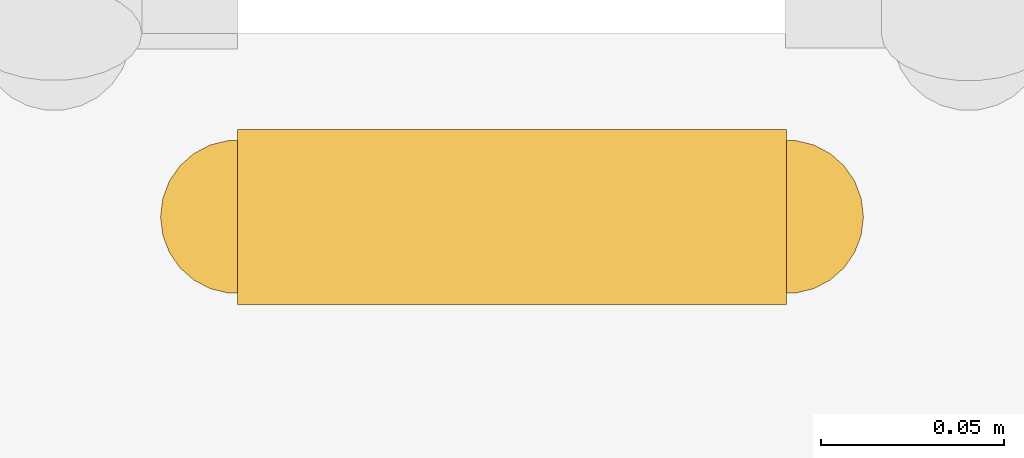
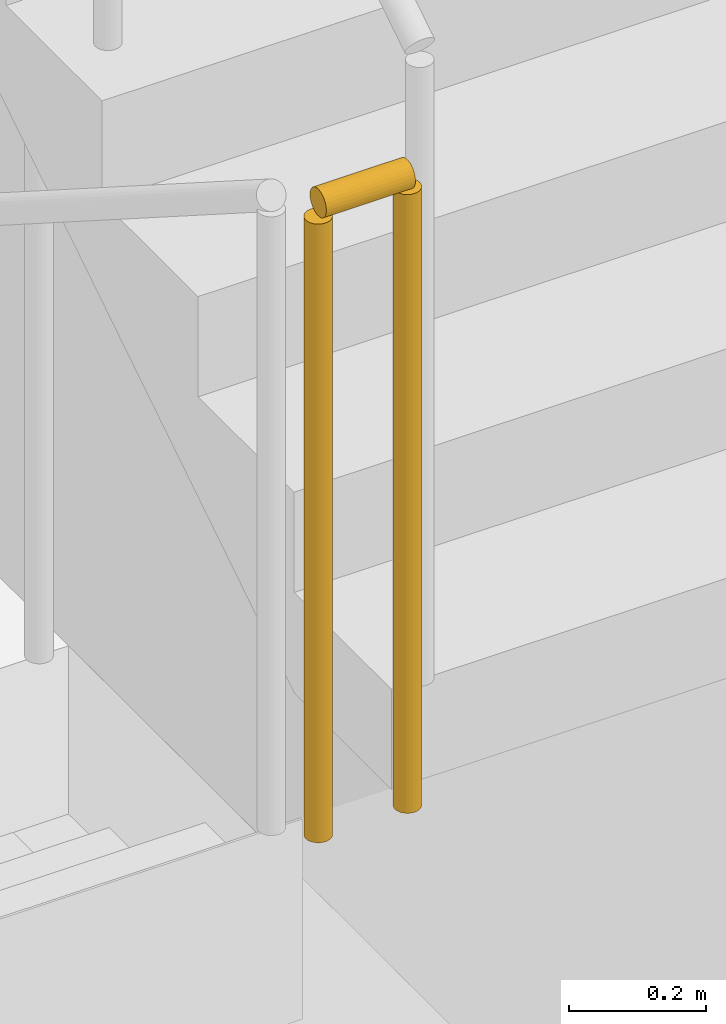
# One storey, part 25 of 31: 1 railing.
"""IFC4 building model written with IfcOpenShell, lengths in metres."""

from ifc_helpers import new_model, si_unit, direction, frame, origin, origin_2d, place, context, subcontext, project, spatial, circle, extrude, material, type_object, element, save


model = new_model("IFC4")

# Units and contexts
model_context = context("Model", 3, precision=1e-05, world=origin(), true_north=direction((0.0, 1.0)))
body_context = subcontext(model_context, "Body", "Model", "MODEL_VIEW")
ifc_project = project(units=[si_unit("LENGTHUNIT", "METRE"), si_unit("AREAUNIT", "SQUARE_METRE"), si_unit("VOLUMEUNIT", "CUBIC_METRE"), si_unit("PLANEANGLEUNIT", "RADIAN"), si_unit("MASSUNIT", "GRAM", prefix="KILO")], contexts=[model_context])

# Site, building, storey
site_placement = place(None, origin())
site = spatial("IfcSite", under=ifc_project, at=site_placement, CompositionType="ELEMENT")
building_placement = place(site_placement, origin())
building = spatial("IfcBuilding", under=site, at=building_placement, Name="Khairoan Windgate Tower", CompositionType="ELEMENT")
storey_placement = place(building_placement, frame((0.0, 0.0, 11.0)))
storey = spatial("IfcBuildingStorey", under=building, at=storey_placement, Name="L03", CompositionType="ELEMENT", Elevation=11.0)

# Railing
ifc_material = material(Name="Steel S355", Category="steel")
railing_type = type_object("IfcRailingType", Name="Stairwell Safety Guardrail SGR-1150", PredefinedType="GUARDRAIL", material=ifc_material)
railing_placement = place(storey_placement, frame((17.7099609375, -12.949951171875, 2.5)))
element("IfcRailing", 1, at=railing_placement, inside=storey, type_object=railing_type, Name="L03 ST1 stair guard 2", PredefinedType="GUARDRAIL", context=body_context, shape_type="SweptSolid", body=[
    extrude(circle(Radius=0.02392578125, at=origin_2d()), frame((0.0, 0.0, 1.1259765625), z_axis=(1.0, 0.0, 0.0), x_axis=(0.0, 1.0, 0.0)), (0.0, 0.0, 1.0), 0.150146484375),
    extrude(circle(Radius=0.02099609375, at=origin_2d()), origin(), (0.0, 0.0, 1.0), 1.101806640625),
    extrude(circle(Radius=0.02099609375, at=origin_2d()), frame((0.150146484375, 0.0, 0.0)), (0.0, 0.0, 1.0), 1.101806640625),
])

save(model, "model.ifc")
